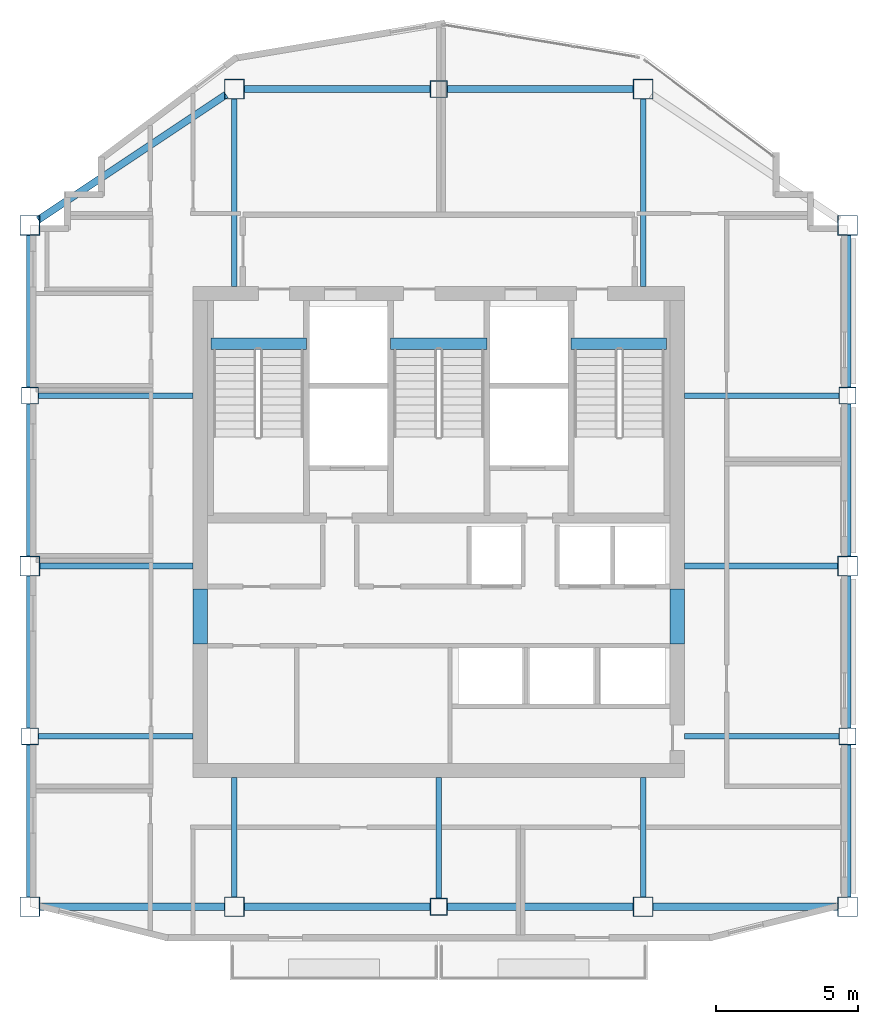
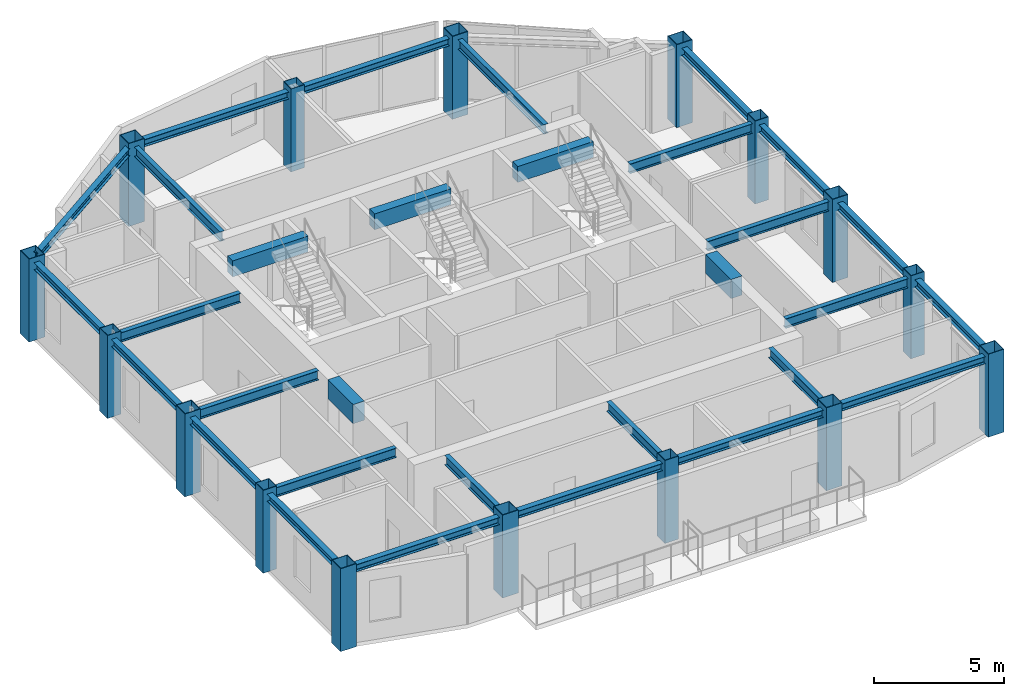
# One storey, part 1 of 8: 31 beams, 16 columns.
"""IFC4 building model written with IfcOpenShell, lengths in metres."""

from ifc_helpers import new_model, si_unit, direction, frame, origin, origin_2d, place, context, subcontext, project, spatial, rectangle, hollow_rectangle, i_section, extrude, material, material_profile, profile_set, type_object, element, save


model = new_model("IFC4")

# Units and contexts
model_context = context("Model", 3, precision=1e-05, world=origin(), true_north=direction((0.0, 1.0)))
body_context = subcontext(model_context, "Body", "Model", "MODEL_VIEW")
ifc_project = project(units=[si_unit("LENGTHUNIT", "METRE"), si_unit("AREAUNIT", "SQUARE_METRE"), si_unit("VOLUMEUNIT", "CUBIC_METRE"), si_unit("PLANEANGLEUNIT", "RADIAN"), si_unit("MASSUNIT", "GRAM", prefix="KILO")], contexts=[model_context])

# Site, building, storey
site_placement = place(None, origin())
site = spatial("IfcSite", under=ifc_project, at=site_placement, CompositionType="ELEMENT")
building_placement = place(site_placement, origin())
building = spatial("IfcBuilding", under=site, at=building_placement, Name="Haolan Belvedere Tower", CompositionType="ELEMENT")
storey_placement = place(building_placement, frame((0.0, 0.0, 309.5)))
storey = spatial("IfcBuildingStorey", under=building, at=storey_placement, Name="L78", CompositionType="ELEMENT", Elevation=309.5)

# Columns
ifc_material_1 = material(Name="Steel Q390GJC", Category="steel")
ifc_material_profile_1 = material_profile(ifc_material_1, hollow_rectangle(XDim=0.60009765625, YDim=0.60009765625, WallThickness=0.02392578125, at=origin_2d()), Name="Steel Q390GJC")
ifc_profile_set_1 = profile_set([ifc_material_profile_1], Name="Steel Q390GJC")
column_type_1 = type_object("IfcColumnType", Name="COL-BOX600x600x24", PredefinedType="COLUMN", material=ifc_profile_set_1)
for number, where, z_axis, x_axis, name in (
    (1, (24.0, 27.60009765625, 0.0), (0.0, 0.0, 1.0), (1.0, 0.0, 0.0), "L78 column TC-T3-W1 (BOX600x600x24)"),
    (2, (24.0, 39.60009765625, 0.0), (0.0, 0.0, 1.0), (1.0, 0.0, 0.0), "L78 column TC-T3-W2 (BOX600x600x24)"),
    (3, (52.800048828125, 27.60009765625, 0.0), (0.0, 0.0, 1.0), (1.0, 0.0, 0.0), "L78 column TC-T3-E1 (BOX600x600x24)"),
    (4, (52.800048828125, 39.60009765625, 0.0), (0.0, 0.0, 1.0), (1.0, 0.0, 0.0), "L78 column TC-T3-E2 (BOX600x600x24)"),
    (5, (38.39990234375, 21.60009765625, 0.0), (0.0, 0.0, 1.0), (1.0, 0.0, 0.0), "L78 column TC-T3-SM (BOX600x600x24)"),
    (6, (38.39990234375, 50.39990234375, 0.0), (0.0, 0.0, 1.0), (1.0, 0.0, 0.0), "L78 column TC-T3-NM (BOX600x600x24)"),
):
    element("IfcColumn", number, at=place(storey_placement, frame(where, z_axis=z_axis, x_axis=x_axis)), inside=storey, type_object=column_type_1, Name=name, PredefinedType="COLUMN", context=body_context, shape_type="SweptSolid", body=[
        extrude(hollow_rectangle(XDim=0.60009765625, YDim=0.60009765625, WallThickness=0.02392578125, at=origin_2d()), origin(), (0.0, 0.0, 1.0), 3.89990234375),
    ])
ifc_material_profile_2 = material_profile(ifc_material_1, hollow_rectangle(XDim=0.699951171875, YDim=0.699951171875, WallThickness=0.02587890625, at=origin_2d()), Name="Steel Q390GJC")
ifc_profile_set_2 = profile_set([ifc_material_profile_2], Name="Steel Q390GJC")
column_type_2 = type_object("IfcColumnType", Name="COL-BOX700x700x26", PredefinedType="COLUMN", material=ifc_profile_set_2)
for number, where, z_axis, x_axis, name in (
    (7, (24.0, 21.60009765625, 0.0), (0.0, 0.0, 1.0), (1.0, 0.0, 0.0), "L78 column MC-T3-SW (BOX700x700x26)"),
    (8, (24.0, 33.60009765625, 0.0), (0.0, 0.0, 1.0), (1.0, 0.0, 0.0), "L78 column MC-T3-MW (BOX700x700x26)"),
    (9, (24.0, 45.60009765625, 0.0), (0.0, 0.0, 1.0), (1.0, 0.0, 0.0), "L78 column MC-T3-NW (BOX700x700x26)"),
    (10, (52.800048828125, 21.60009765625, 0.0), (0.0, 0.0, 1.0), (1.0, 0.0, 0.0), "L78 column MC-T3-SE (BOX700x700x26)"),
    (11, (52.800048828125, 33.60009765625, 0.0), (0.0, 0.0, 1.0), (1.0, 0.0, 0.0), "L78 column MC-T3-ME (BOX700x700x26)"),
    (12, (52.800048828125, 45.60009765625, 0.0), (0.0, 0.0, 1.0), (1.0, 0.0, 0.0), "L78 column MC-T3-NE (BOX700x700x26)"),
    (13, (31.199951171875, 21.60009765625, 0.0), (0.0, 0.0, 1.0), (1.0, 0.0, 0.0), "L78 column MC-T3-S1 (BOX700x700x26)"),
    (14, (45.60009765625, 21.60009765625, 0.0), (0.0, 0.0, 1.0), (1.0, 0.0, 0.0), "L78 column MC-T3-S2 (BOX700x700x26)"),
    (15, (31.199951171875, 50.39990234375, 0.0), (0.0, 0.0, 1.0), (1.0, 0.0, 0.0), "L78 column MC-T3-N1 (BOX700x700x26)"),
    (16, (45.60009765625, 50.39990234375, 0.0), (0.0, 0.0, 1.0), (1.0, 0.0, 0.0), "L78 column MC-T3-N2 (BOX700x700x26)"),
):
    element("IfcColumn", number, at=place(storey_placement, frame(where, z_axis=z_axis, x_axis=x_axis)), inside=storey, type_object=column_type_2, Name=name, PredefinedType="COLUMN", context=body_context, shape_type="SweptSolid", body=[
        extrude(hollow_rectangle(XDim=0.699951171875, YDim=0.699951171875, WallThickness=0.02587890625, at=origin_2d()), origin(), (0.0, 0.0, 1.0), 3.89990234375),
    ])

# Beams
ifc_material_2 = material(Name="Steel Q355B", Category="steel")
ifc_material_profile_3 = material_profile(ifc_material_2, i_section(OverallWidth=0.25, OverallDepth=0.340087890625, WebThickness=0.009033203125, FlangeThickness=0.013916015625, FilletRadius=0.02001953125, at=origin_2d()), Name="Steel Q355B")
ifc_profile_set_3 = profile_set([ifc_material_profile_3], Name="Steel Q355B")
beam_type_1 = type_object("IfcBeamType", Name="BM-HM340x250x9x14", PredefinedType="SPANDREL", material=ifc_profile_set_3)
for number, where, z_axis, x_axis, name in (
    (17, (24.0, 21.949951171875, 3.489990234375), (0.0, 1.0, 0.0), (-1.0, 0.0, 0.0), "L78 spandrel girder MC-T3-SW-TC-T3-W1"),
    (18, (24.0, 27.89990234375, 3.489990234375), (0.0, 1.0, 0.0), (-1.0, 0.0, 0.0), "L78 spandrel girder TC-T3-W1-MC-T3-MW"),
    (19, (24.0, 33.949951171875, 3.489990234375), (0.0, 1.0, 0.0), (-1.0, 0.0, 0.0), "L78 spandrel girder MC-T3-MW-TC-T3-W2"),
    (20, (24.0, 39.89990234375, 3.489990234375), (0.0, 1.0, 0.0), (-1.0, 0.0, 0.0), "L78 spandrel girder TC-T3-W2-MC-T3-NW"),
    (21, (52.800048828125, 21.949951171875, 3.489990234375), (0.0, 1.0, 0.0), (-1.0, 0.0, 0.0), "L78 spandrel girder MC-T3-SE-TC-T3-E1"),
    (22, (52.800048828125, 27.89990234375, 3.489990234375), (0.0, 1.0, 0.0), (-1.0, 0.0, 0.0), "L78 spandrel girder TC-T3-E1-MC-T3-ME"),
    (23, (52.800048828125, 33.949951171875, 3.489990234375), (0.0, 1.0, 0.0), (-1.0, 0.0, 0.0), "L78 spandrel girder MC-T3-ME-TC-T3-E2"),
    (24, (52.800048828125, 39.89990234375, 3.489990234375), (0.0, 1.0, 0.0), (-1.0, 0.0, 0.0), "L78 spandrel girder TC-T3-E2-MC-T3-NE"),
):
    element("IfcBeam", number, at=place(storey_placement, frame(where, z_axis=z_axis, x_axis=x_axis)), inside=storey, type_object=beam_type_1, Name=name, PredefinedType="SPANDREL", context=body_context, shape_type="SweptSolid", body=[
        extrude(i_section(OverallWidth=0.25, OverallDepth=0.340087890625, WebThickness=0.009033203125, FlangeThickness=0.013916015625, FilletRadius=0.02001953125, at=origin_2d()), origin(), (0.0, 0.0, 1.0), 5.35009765625),
    ])
beam_1_placement = place(storey_placement, frame((24.35009765625, 21.60009765625, 3.489990234375), z_axis=(1.0, 0.0, 0.0), x_axis=(0.0, 1.0, 0.0)))
element("IfcBeam", 25, at=beam_1_placement, inside=storey, type_object=beam_type_1, Name="L78 spandrel girder MC-T3-SW-MC-T3-S1", PredefinedType="SPANDREL", context=body_context, shape_type="SweptSolid", body=[
    extrude(i_section(OverallWidth=0.25, OverallDepth=0.340087890625, WebThickness=0.009033203125, FlangeThickness=0.013916015625, FilletRadius=0.02001953125, at=origin_2d()), origin(), (0.0, 0.0, 1.0), 6.5),
])
for number, where, z_axis, x_axis, name in (
    (26, (31.550048828125, 21.60009765625, 3.489990234375), (1.0, 0.0, 0.0), (0.0, 1.0, 0.0), "L78 spandrel girder MC-T3-S1-TC-T3-SM"),
    (27, (38.699951171875, 21.60009765625, 3.489990234375), (1.0, 0.0, 0.0), (0.0, 1.0, 0.0), "L78 spandrel girder TC-T3-SM-MC-T3-S2"),
):
    element("IfcBeam", number, at=place(storey_placement, frame(where, z_axis=z_axis, x_axis=x_axis)), inside=storey, type_object=beam_type_1, Name=name, PredefinedType="SPANDREL", context=body_context, shape_type="SweptSolid", body=[
        extrude(i_section(OverallWidth=0.25, OverallDepth=0.340087890625, WebThickness=0.009033203125, FlangeThickness=0.013916015625, FilletRadius=0.02001953125, at=origin_2d()), origin(), (0.0, 0.0, 1.0), 6.550048828125),
    ])
beam_2_placement = place(storey_placement, frame((45.949951171875, 21.60009765625, 3.489990234375), z_axis=(1.0, 0.0, 0.0), x_axis=(0.0, 1.0, 0.0)))
element("IfcBeam", 28, at=beam_2_placement, inside=storey, type_object=beam_type_1, Name="L78 spandrel girder MC-T3-S2-MC-T3-SE", PredefinedType="SPANDREL", context=body_context, shape_type="SweptSolid", body=[
    extrude(i_section(OverallWidth=0.25, OverallDepth=0.340087890625, WebThickness=0.009033203125, FlangeThickness=0.013916015625, FilletRadius=0.02001953125, at=origin_2d()), origin(), (0.0, 0.0, 1.0), 6.5),
])
beam_3_placement = place(storey_placement, frame((24.291259765625, 45.794189453125, 3.489990234375), z_axis=(0.832050294338, 0.554700196225, 0.0), x_axis=(-0.554700196225, 0.832050294338, 0.0)))
element("IfcBeam", 29, at=beam_3_placement, inside=storey, type_object=beam_type_1, Name="L78 spandrel girder MC-T3-NW-MC-T3-N1", PredefinedType="SPANDREL", context=body_context, shape_type="SweptSolid", body=[
    extrude(i_section(OverallWidth=0.25, OverallDepth=0.340087890625, WebThickness=0.009033203125, FlangeThickness=0.013916015625, FilletRadius=0.02001953125, at=origin_2d()), origin(), (0.0, 0.0, 1.0), 7.953125),
])
for number, where, z_axis, x_axis, name in (
    (30, (31.550048828125, 50.39990234375, 3.489990234375), (1.0, 0.0, 0.0), (0.0, 1.0, 0.0), "L78 spandrel girder MC-T3-N1-TC-T3-NM"),
    (31, (38.699951171875, 50.39990234375, 3.489990234375), (1.0, 0.0, 0.0), (0.0, 1.0, 0.0), "L78 spandrel girder TC-T3-NM-MC-T3-N2"),
):
    element("IfcBeam", number, at=place(storey_placement, frame(where, z_axis=z_axis, x_axis=x_axis)), inside=storey, type_object=beam_type_1, Name=name, PredefinedType="SPANDREL", context=body_context, shape_type="SweptSolid", body=[
        extrude(i_section(OverallWidth=0.25, OverallDepth=0.340087890625, WebThickness=0.009033203125, FlangeThickness=0.013916015625, FilletRadius=0.02001953125, at=origin_2d()), origin(), (0.0, 0.0, 1.0), 6.550048828125),
    ])
ifc_material_profile_4 = material_profile(ifc_material_2, i_section(OverallWidth=0.199951171875, OverallDepth=0.449951171875, WebThickness=0.009033203125, FlangeThickness=0.013916015625, FilletRadius=0.01611328125, at=origin_2d()), Name="Steel Q355B")
ifc_profile_set_4 = profile_set([ifc_material_profile_4], Name="Steel Q355B")
beam_type_2 = type_object("IfcBeamType", Name="BM-HN450x200x9x14", PredefinedType="BEAM", material=ifc_profile_set_4)
beam_4_placement = place(storey_placement, frame((24.35009765625, 33.60009765625, 3.43505859375), z_axis=(1.0, 0.0, 0.0), x_axis=(0.0, 1.0, 0.0)))
element("IfcBeam", 32, at=beam_4_placement, inside=storey, type_object=beam_type_2, Name="L78 core tie beam from MC-T3-MW", PredefinedType="BEAM", context=body_context, shape_type="SweptSolid", body=[
    extrude(i_section(OverallWidth=0.199951171875, OverallDepth=0.449951171875, WebThickness=0.009033203125, FlangeThickness=0.013916015625, FilletRadius=0.01611328125, at=origin_2d()), origin(), (0.0, 0.0, 1.0), 5.39990234375),
])
for number, where, z_axis, x_axis, name in (
    (33, (24.300048828125, 27.60009765625, 3.43505859375), (1.0, 0.0, 0.0), (0.0, 1.0, 0.0), "L78 core tie beam from TC-T3-W1"),
    (34, (24.300048828125, 39.60009765625, 3.43505859375), (1.0, 0.0, 0.0), (0.0, 1.0, 0.0), "L78 core tie beam from TC-T3-W2"),
):
    element("IfcBeam", number, at=place(storey_placement, frame(where, z_axis=z_axis, x_axis=x_axis)), inside=storey, type_object=beam_type_2, Name=name, PredefinedType="BEAM", context=body_context, shape_type="SweptSolid", body=[
        extrude(i_section(OverallWidth=0.199951171875, OverallDepth=0.449951171875, WebThickness=0.009033203125, FlangeThickness=0.013916015625, FilletRadius=0.01611328125, at=origin_2d()), origin(), (0.0, 0.0, 1.0), 5.449951171875),
    ])
beam_5_placement = place(storey_placement, frame((52.449951171875, 33.60009765625, 3.43505859375), z_axis=(-1.0, 0.0, 0.0), x_axis=(0.0, -1.0, 0.0)))
element("IfcBeam", 35, at=beam_5_placement, inside=storey, type_object=beam_type_2, Name="L78 core tie beam from MC-T3-ME", PredefinedType="BEAM", context=body_context, shape_type="SweptSolid", body=[
    extrude(i_section(OverallWidth=0.199951171875, OverallDepth=0.449951171875, WebThickness=0.009033203125, FlangeThickness=0.013916015625, FilletRadius=0.01611328125, at=origin_2d()), origin(), (0.0, 0.0, 1.0), 5.39990234375),
])
for number, where, z_axis, x_axis, name in (
    (36, (52.5, 27.60009765625, 3.43505859375), (-1.0, 0.0, 0.0), (0.0, -1.0, 0.0), "L78 core tie beam from TC-T3-E1"),
    (37, (52.5, 39.60009765625, 3.43505859375), (-1.0, 0.0, 0.0), (0.0, -1.0, 0.0), "L78 core tie beam from TC-T3-E2"),
):
    element("IfcBeam", number, at=place(storey_placement, frame(where, z_axis=z_axis, x_axis=x_axis)), inside=storey, type_object=beam_type_2, Name=name, PredefinedType="BEAM", context=body_context, shape_type="SweptSolid", body=[
        extrude(i_section(OverallWidth=0.199951171875, OverallDepth=0.449951171875, WebThickness=0.009033203125, FlangeThickness=0.013916015625, FilletRadius=0.01611328125, at=origin_2d()), origin(), (0.0, 0.0, 1.0), 5.449951171875),
    ])
beam_6_placement = place(storey_placement, frame((31.199951171875, 21.949951171875, 3.43505859375), z_axis=(0.0, 1.0, 0.0), x_axis=(-1.0, 0.0, 0.0)))
element("IfcBeam", 38, at=beam_6_placement, inside=storey, type_object=beam_type_2, Name="L78 core tie beam from MC-T3-S1", PredefinedType="BEAM", context=body_context, shape_type="SweptSolid", body=[
    extrude(i_section(OverallWidth=0.199951171875, OverallDepth=0.449951171875, WebThickness=0.009033203125, FlangeThickness=0.013916015625, FilletRadius=0.01611328125, at=origin_2d()), origin(), (0.0, 0.0, 1.0), 4.199951171875),
])
beam_7_placement = place(storey_placement, frame((38.39990234375, 21.89990234375, 3.43505859375), z_axis=(0.0, 1.0, 0.0), x_axis=(-1.0, 0.0, 0.0)))
element("IfcBeam", 39, at=beam_7_placement, inside=storey, type_object=beam_type_2, Name="L78 core tie beam from TC-T3-SM", PredefinedType="BEAM", context=body_context, shape_type="SweptSolid", body=[
    extrude(i_section(OverallWidth=0.199951171875, OverallDepth=0.449951171875, WebThickness=0.009033203125, FlangeThickness=0.013916015625, FilletRadius=0.01611328125, at=origin_2d()), origin(), (0.0, 0.0, 1.0), 4.25),
])
beam_8_placement = place(storey_placement, frame((45.60009765625, 21.949951171875, 3.43505859375), z_axis=(0.0, 1.0, 0.0), x_axis=(-1.0, 0.0, 0.0)))
element("IfcBeam", 40, at=beam_8_placement, inside=storey, type_object=beam_type_2, Name="L78 core tie beam from MC-T3-S2", PredefinedType="BEAM", context=body_context, shape_type="SweptSolid", body=[
    extrude(i_section(OverallWidth=0.199951171875, OverallDepth=0.449951171875, WebThickness=0.009033203125, FlangeThickness=0.013916015625, FilletRadius=0.01611328125, at=origin_2d()), origin(), (0.0, 0.0, 1.0), 4.199951171875),
])
for number, where, z_axis, x_axis, name in (
    (41, (31.199951171875, 50.050048828125, 3.43505859375), (0.0, -1.0, 0.0), (1.0, 0.0, 0.0), "L78 core tie beam from MC-T3-N1"),
    (42, (45.60009765625, 50.050048828125, 3.43505859375), (0.0, -1.0, 0.0), (1.0, 0.0, 0.0), "L78 core tie beam from MC-T3-N2"),
):
    element("IfcBeam", number, at=place(storey_placement, frame(where, z_axis=z_axis, x_axis=x_axis)), inside=storey, type_object=beam_type_2, Name=name, PredefinedType="BEAM", context=body_context, shape_type="SweptSolid", body=[
        extrude(i_section(OverallWidth=0.199951171875, OverallDepth=0.449951171875, WebThickness=0.009033203125, FlangeThickness=0.013916015625, FilletRadius=0.01611328125, at=origin_2d()), origin(), (0.0, 0.0, 1.0), 6.60009765625),
    ])
ifc_material_3 = material(Name="Concrete C50/60", Category="concrete")
ifc_material_profile_5 = material_profile(ifc_material_3, rectangle(XDim=0.39990234375, YDim=0.75, at=origin_2d()), Name="Concrete C50/60")
ifc_profile_set_5 = profile_set([ifc_material_profile_5], Name="Concrete C50/60")
beam_type_3 = type_object("IfcBeamType", Name="BM-RC400x750", PredefinedType="T_BEAM", material=ifc_profile_set_5)
beam_9_placement = place(storey_placement, frame((30.3798828125, 41.429931640625, 3.52490234375), z_axis=(1.0, 0.0, 0.0), x_axis=(0.0, 1.0, 0.0)))
element("IfcBeam", 43, at=beam_9_placement, inside=storey, type_object=beam_type_3, Name="L79 stair ST1 RC header trimmer beam", PredefinedType="BEAM", context=body_context, shape_type="SweptSolid", body=[
    extrude(rectangle(XDim=0.39990234375, YDim=0.75, at=origin_2d()), origin(), (0.0, 0.0, 1.0), 3.360107421875),
])
beam_10_placement = place(storey_placement, frame((36.699951171875, 41.429931640625, 3.52490234375), z_axis=(1.0, 0.0, 0.0), x_axis=(0.0, 1.0, 0.0)))
element("IfcBeam", 44, at=beam_10_placement, inside=storey, type_object=beam_type_3, Name="L79 stair ST3 RC header trimmer beam", PredefinedType="BEAM", context=body_context, shape_type="SweptSolid", body=[
    extrude(rectangle(XDim=0.39990234375, YDim=0.75, at=origin_2d()), origin(), (0.0, 0.0, 1.0), 3.400146484375),
])
beam_11_placement = place(storey_placement, frame((43.06005859375, 41.429931640625, 3.52490234375), z_axis=(1.0, 0.0, 0.0), x_axis=(0.0, 1.0, 0.0)))
element("IfcBeam", 45, at=beam_11_placement, inside=storey, type_object=beam_type_3, Name="L79 stair ST2 RC header trimmer beam", PredefinedType="BEAM", context=body_context, shape_type="SweptSolid", body=[
    extrude(rectangle(XDim=0.39990234375, YDim=0.75, at=origin_2d()), origin(), (0.0, 0.0, 1.0), 3.35986328125),
])
ifc_material_4 = material(Name="Concrete C60/75", Category="concrete")
ifc_material_profile_6 = material_profile(ifc_material_4, rectangle(XDim=0.5, YDim=0.89990234375, at=origin_2d()), Name="Concrete C60/75")
ifc_profile_set_6 = profile_set([ifc_material_profile_6], Name="Concrete C60/75")
beam_type_4 = type_object("IfcBeamType", Name="BM-RC500x900", PredefinedType="LINTEL", material=ifc_profile_set_6)
for number, where, z_axis, x_axis, name in (
    (46, (30.0, 30.85009765625, 3.2099609375), (0.0, 1.0, 0.0), (-1.0, 0.0, 0.0), "L78 west core coupling beam CB-01"),
    (47, (46.800048828125, 30.85009765625, 3.2099609375), (0.0, 1.0, 0.0), (-1.0, 0.0, 0.0), "L78 east core coupling beam CB-01"),
):
    element("IfcBeam", number, at=place(storey_placement, frame(where, z_axis=z_axis, x_axis=x_axis)), inside=storey, type_object=beam_type_4, Name=name, PredefinedType="LINTEL", context=body_context, shape_type="SweptSolid", body=[
        extrude(rectangle(XDim=0.5, YDim=0.89990234375, at=origin_2d()), origin(), (0.0, 0.0, 1.0), 1.949951171875),
    ])

save(model, "model.ifc")
